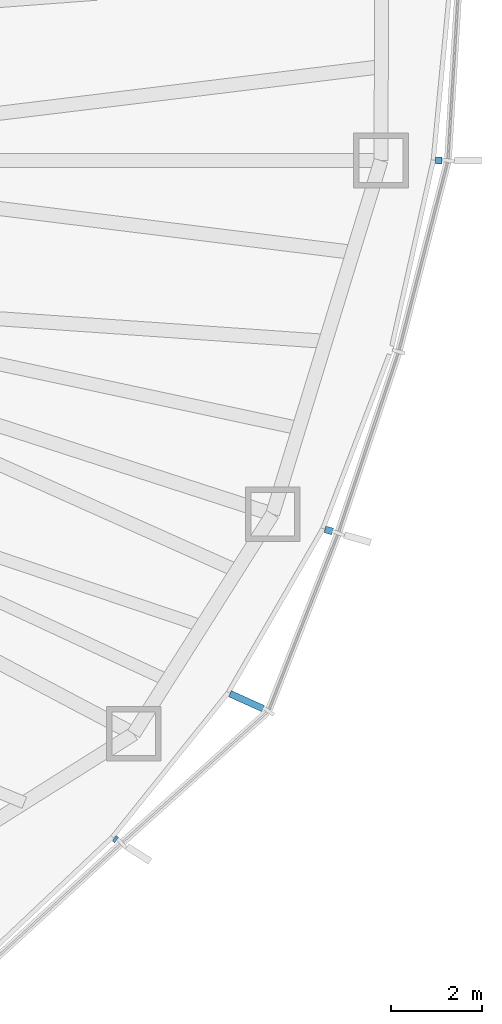
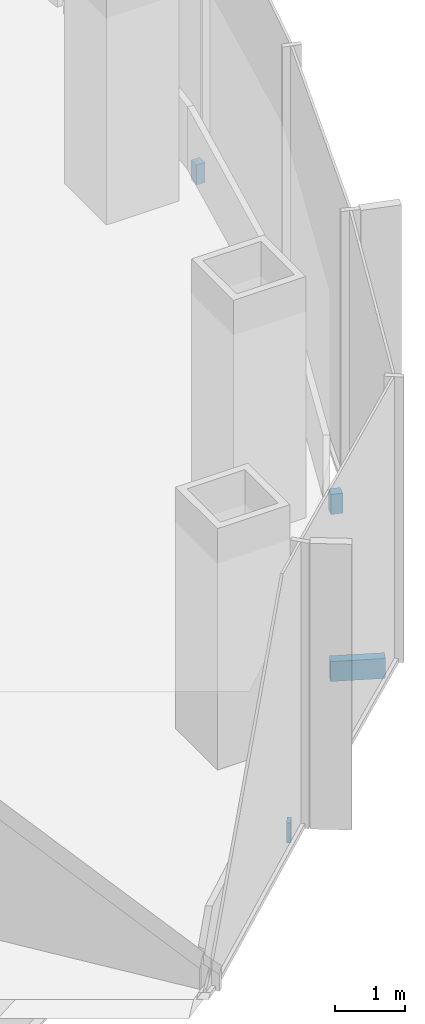
# One storey, part 13 of 18: 4 discrete accessories.
"""IFC4 building model written with IfcOpenShell, lengths in metres."""

from ifc_helpers import new_model, si_unit, direction, frame, origin, origin_2d, place, context, subcontext, project, spatial, rectangle, extrude, material, type_object, element, save


model = new_model("IFC4")

# Units and contexts
model_context = context("Model", 3, precision=1e-05, world=origin(), true_north=direction((0.0, 1.0)))
body_context = subcontext(model_context, "Body", "Model", "MODEL_VIEW")
ifc_project = project(units=[si_unit("LENGTHUNIT", "METRE"), si_unit("AREAUNIT", "SQUARE_METRE"), si_unit("VOLUMEUNIT", "CUBIC_METRE"), si_unit("PLANEANGLEUNIT", "RADIAN"), si_unit("MASSUNIT", "GRAM", prefix="KILO")], contexts=[model_context])

# Site, building, storey
site_placement = place(None, origin())
site = spatial("IfcSite", under=ifc_project, at=site_placement, CompositionType="ELEMENT")
building_placement = place(site_placement, origin())
building = spatial("IfcBuilding", under=site, at=building_placement, Name="Ghaith Harvest Tower", CompositionType="ELEMENT")
storey_placement = place(building_placement, frame((0.0, 0.0, 184.800048828125)))
storey = spatial("IfcBuildingStorey", under=building, at=storey_placement, Name="L40", CompositionType="ELEMENT", Elevation=184.800048828125)

# Discrete accessories
ifc_material_1 = material(Name="Stainless steel grade 1.4401", Category="steel")
discrete_accessory_type_1 = type_object("IfcDiscreteAccessoryType", Name="CURTAIN WALL BRACKET 145", PredefinedType="BRACKET", material=ifc_material_1)
discrete_accessory_1_placement = place(storey_placement, frame((30.526123046875, 0.0, -0.25), z_axis=(0.0, 0.0, 1.0), x_axis=(1.0, 0.0, 0.0)))
element("IfcDiscreteAccessory", 1, at=discrete_accessory_1_placement, inside=storey, type_object=discrete_accessory_type_1, Name="CW-S bracket 1 bay 01 L40", PredefinedType="BRACKET", context=body_context, shape_type="SweptSolid", body=[
    extrude(rectangle(XDim=0.14501953125, YDim=0.14990234375, at=origin_2d()), origin(), (0.0, 0.0, 1.0), 0.35009765625),
])
ifc_material_2 = material(Name="Stainless steel grade 1.4401", Category="steel")
discrete_accessory_type_2 = type_object("IfcDiscreteAccessoryType", Name="CURTAIN WALL BRACKET 175", PredefinedType="BRACKET", material=ifc_material_2)
discrete_accessory_2_placement = place(storey_placement, frame((28.110595703125, -8.12451171875, -0.25), z_axis=(0.0, 0.0, 1.0), x_axis=(0.960680349932, -0.277656739976, 0.0)))
element("IfcDiscreteAccessory", 2, at=discrete_accessory_2_placement, inside=storey, type_object=discrete_accessory_type_2, Name="CW-S bracket 1 bay 20 L40", PredefinedType="BRACKET", context=body_context, shape_type="SweptSolid", body=[
    extrude(rectangle(XDim=0.175048828125, YDim=0.14990234375, at=origin_2d()), origin(), (0.0, 0.0, 1.0), 0.35009765625),
])
ifc_material_3 = material(Name="Stainless steel grade 1.4401", Category="steel")
discrete_accessory_type_3 = type_object("IfcDiscreteAccessoryType", Name="CURTAIN WALL BRACKET 65", PredefinedType="BRACKET", material=ifc_material_3)
discrete_accessory_3_placement = place(storey_placement, frame((23.423583984375, -14.906982421875, -0.25), z_axis=(0.0, 0.0, 1.0), x_axis=(0.84364397137, -0.536903016913, 0.0)))
element("IfcDiscreteAccessory", 3, at=discrete_accessory_3_placement, inside=storey, type_object=discrete_accessory_type_3, Name="CW-S bracket 1 bay 19 L40", PredefinedType="BRACKET", context=body_context, shape_type="SweptSolid", body=[
    extrude(rectangle(XDim=0.06494140625, YDim=0.14990234375, at=origin_2d()), origin(), (0.0, 0.0, 1.0), 0.35009765625),
])
ifc_material_4 = material(Name="Stainless steel grade 1.4401", Category="steel")
discrete_accessory_type_4 = type_object("IfcDiscreteAccessoryType", Name="CURTAIN WALL BRACKET 795", PredefinedType="BRACKET", material=ifc_material_4)
discrete_accessory_4_placement = place(storey_placement, frame((26.3056640625, -11.87548828125, -0.25), z_axis=(0.0, 0.0, 1.0), x_axis=(0.911426750831, -0.41146236507, 0.0)))
element("IfcDiscreteAccessory", 4, at=discrete_accessory_4_placement, inside=storey, type_object=discrete_accessory_type_4, Name="CW-S bracket 2 bay 19 L40", PredefinedType="BRACKET", context=body_context, shape_type="SweptSolid", body=[
    extrude(rectangle(XDim=0.794921875, YDim=0.14990234375, at=origin_2d()), origin(), (0.0, 0.0, 1.0), 0.35009765625),
])

save(model, "model.ifc")
